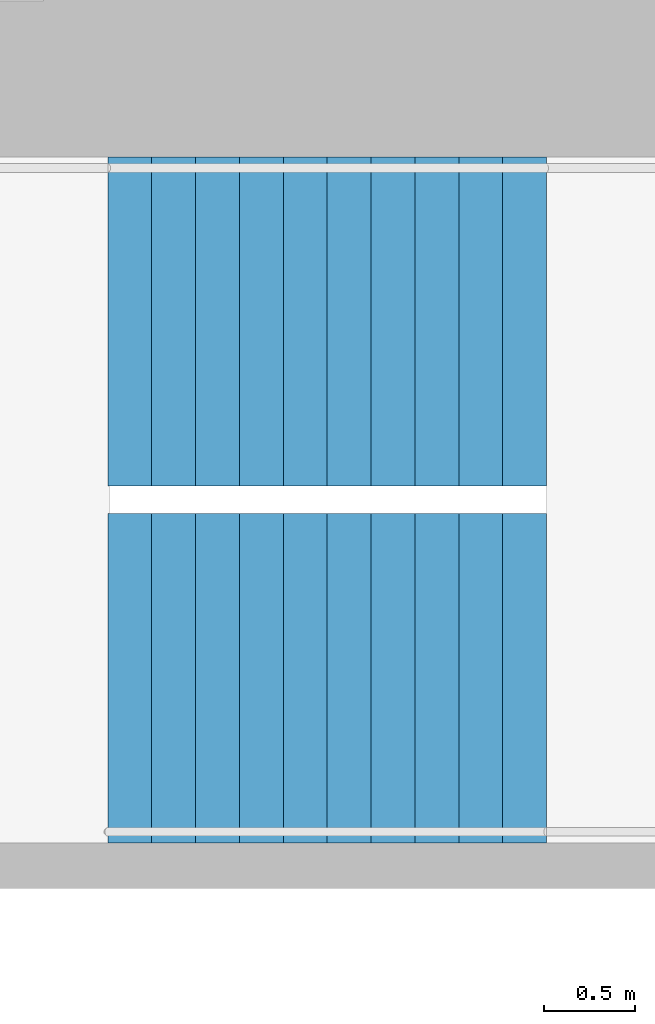
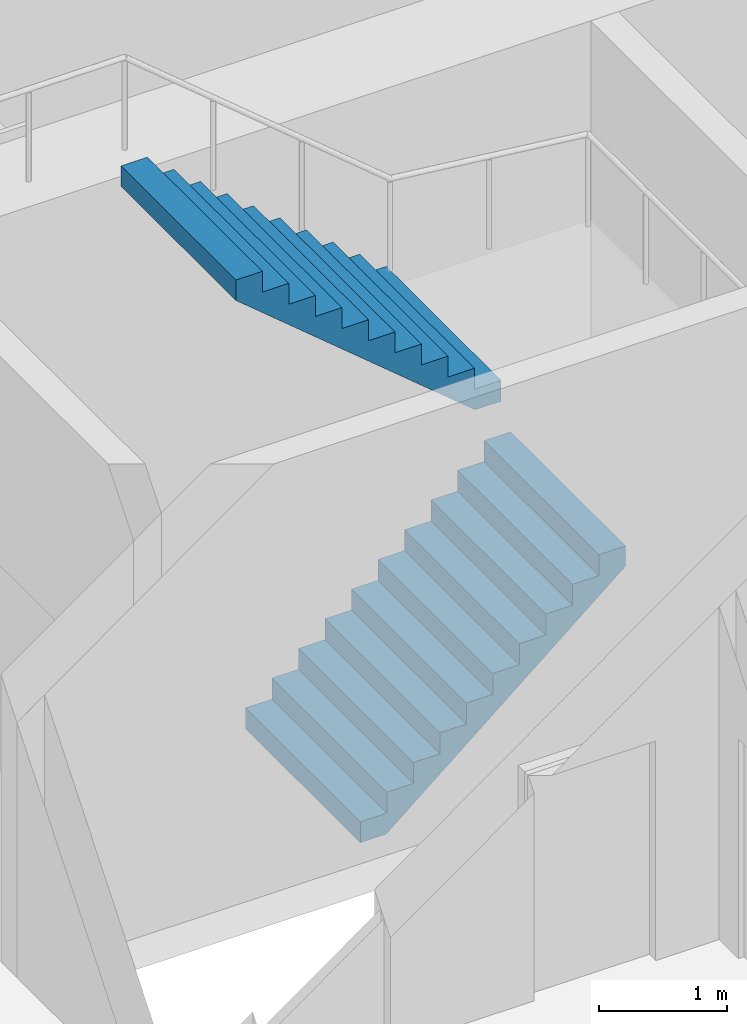
# One storey, part 27 of 31: 2 stair flights, 1 element without a shape of its own.
"""IFC4 building model written with IfcOpenShell, lengths in metres."""

from ifc_helpers import new_model, si_unit, direction, frame, origin, place, context, subcontext, project, spatial, triangles, material, type_object, element, aggregate, save


model = new_model("IFC4")

# Units and contexts
model_context = context("Model", 3, precision=1e-05, world=origin(), true_north=direction((0.0, 1.0)))
body_context = subcontext(model_context, "Body", "Model", "MODEL_VIEW")
ifc_project = project(units=[si_unit("LENGTHUNIT", "METRE"), si_unit("AREAUNIT", "SQUARE_METRE"), si_unit("VOLUMEUNIT", "CUBIC_METRE"), si_unit("PLANEANGLEUNIT", "RADIAN"), si_unit("MASSUNIT", "GRAM", prefix="KILO")], contexts=[model_context])

# Site, building, storey
site_placement = place(None, origin())
site = spatial("IfcSite", under=ifc_project, at=site_placement, CompositionType="ELEMENT")
building_placement = place(site_placement, origin())
building = spatial("IfcBuilding", under=site, at=building_placement, Name="Hakoniwa Tower and Hamabe Station Hall", CompositionType="ELEMENT")
storey_placement = place(building_placement, frame((0.0, 0.0, 120.199951171875)))
storey = spatial("IfcBuildingStorey", under=building, at=storey_placement, Name="L34", CompositionType="ELEMENT", Elevation=120.199951171875)

# Stair, stair flights
ifc_material_1 = material(Name="Concrete C40", Category="concrete")
stair_type = type_object("IfcStairType", Name="ESCAPE STAIR 1800", PredefinedType="HALF_TURN_STAIR", material=ifc_material_1)
stair_placement = place(storey_placement, origin())
stair = element("IfcStair", 1, at=stair_placement, inside=storey, type_object=stair_type, Name="Escape stair ST-1 L34", PredefinedType="HALF_TURN_STAIR")
ifc_material_2 = material(Name="Concrete C40", Category="concrete")
stair_flight_type = type_object("IfcStairFlightType", Name="STAIR FLIGHT 1800", PredefinedType="STRAIGHT", material=ifc_material_2)
stair_flight_1_placement = place(storey_placement, frame((-24.39990234375, 4.64990234375, 0.0), z_axis=(0.0, 0.0, 1.0), x_axis=(1.0, 0.0, 0.0)))
stair_flight_1 = element("IfcStairFlight", 2, at=stair_flight_1_placement, type_object=stair_flight_type, Name="ST-1 flight 1", NumberOfRisers=11, NumberOfTreads=10, PredefinedType="STRAIGHT", RiserHeight=0.2, TreadLength=0.24, context=body_context, shape_type="Tessellation", body=[
    triangles([(0.0, 0.89990234375, 0.0), (0.234130859375, 0.89990234375, 0.0), (0.239990234375, 0.89990234375, 0.0048828125), (0.47998046875, 0.89990234375, 0.204833984375), (0.719970703125, 0.89990234375, 0.40478515625), (0.9599609375, 0.89990234375, 0.60498046875), (1.199951171875, 0.89990234375, 0.804931640625), (1.43994140625, 0.89990234375, 1.0048828125), (1.679931640625, 0.89990234375, 1.204833984375), (1.919921875, 0.89990234375, 1.40478515625), (2.159912109375, 0.89990234375, 1.60498046875), (2.39990234375, 0.89990234375, 1.804931640625), (2.39990234375, 0.89990234375, 2.0), (2.159912109375, 0.89990234375, 2.0), (2.159912109375, 0.89990234375, 1.800048828125), (1.919921875, 0.89990234375, 1.800048828125), (1.919921875, 0.89990234375, 1.60009765625), (1.679931640625, 0.89990234375, 1.60009765625), (1.679931640625, 0.89990234375, 1.39990234375), (1.43994140625, 0.89990234375, 1.39990234375), (1.43994140625, 0.89990234375, 1.199951171875), (1.199951171875, 0.89990234375, 1.199951171875), (1.199951171875, 0.89990234375, 1.0), (0.9599609375, 0.89990234375, 1.0), (0.9599609375, 0.89990234375, 0.800048828125), (0.719970703125, 0.89990234375, 0.800048828125), (0.719970703125, 0.89990234375, 0.60009765625), (0.47998046875, 0.89990234375, 0.60009765625), (0.47998046875, 0.89990234375, 0.39990234375), (0.239990234375, 0.89990234375, 0.39990234375), (0.239990234375, 0.89990234375, 0.199951171875), (0.234130859375, 0.89990234375, 0.199951171875), (0.0, 0.89990234375, 0.199951171875), (0.0, 0.06005859375, 0.0), (0.234130859375, 0.06005859375, 0.0), (0.239990234375, 0.06005859375, 0.0048828125), (0.47998046875, 0.06005859375, 0.204833984375), (0.719970703125, 0.06005859375, 0.40478515625), (0.9599609375, 0.06005859375, 0.60498046875), (1.199951171875, 0.06005859375, 0.804931640625), (1.43994140625, 0.06005859375, 1.0048828125), (1.679931640625, 0.06005859375, 1.204833984375), (1.919921875, 0.06005859375, 1.40478515625), (2.159912109375, 0.06005859375, 1.60498046875), (2.39990234375, 0.06005859375, 1.804931640625), (2.39990234375, 0.06005859375, 2.0), (2.159912109375, 0.06005859375, 2.0), (2.159912109375, 0.06005859375, 1.800048828125), (1.919921875, 0.06005859375, 1.800048828125), (1.919921875, 0.06005859375, 1.60009765625), (1.679931640625, 0.06005859375, 1.60009765625), (1.679931640625, 0.06005859375, 1.39990234375), (1.43994140625, 0.06005859375, 1.39990234375), (1.43994140625, 0.06005859375, 1.199951171875), (1.199951171875, 0.06005859375, 1.199951171875), (1.199951171875, 0.06005859375, 1.0), (0.9599609375, 0.06005859375, 1.0), (0.9599609375, 0.06005859375, 0.800048828125), (0.719970703125, 0.06005859375, 0.800048828125), (0.719970703125, 0.06005859375, 0.60009765625), (0.47998046875, 0.06005859375, 0.60009765625), (0.47998046875, 0.06005859375, 0.39990234375), (0.239990234375, 0.06005859375, 0.39990234375), (0.239990234375, 0.06005859375, 0.199951171875), (0.234130859375, 0.06005859375, 0.199951171875), (0.0, 0.06005859375, 0.199951171875), (0.0, 0.02001953125, 0.0), (0.234130859375, 0.02001953125, 0.0), (0.239990234375, 0.02001953125, 0.0048828125), (0.47998046875, 0.02001953125, 0.204833984375), (0.719970703125, 0.02001953125, 0.40478515625), (0.9599609375, 0.02001953125, 0.60498046875), (1.199951171875, 0.02001953125, 0.804931640625), (1.43994140625, 0.02001953125, 1.0048828125), (1.679931640625, 0.02001953125, 1.204833984375), (1.919921875, 0.02001953125, 1.40478515625), (2.159912109375, 0.02001953125, 1.60498046875), (2.39990234375, 0.02001953125, 1.804931640625), (2.39990234375, 0.02001953125, 2.0), (2.159912109375, 0.02001953125, 2.0), (2.159912109375, 0.02001953125, 1.800048828125), (1.919921875, 0.02001953125, 1.800048828125), (1.919921875, 0.02001953125, 1.60009765625), (1.679931640625, 0.02001953125, 1.60009765625), (1.679931640625, 0.02001953125, 1.39990234375), (1.43994140625, 0.02001953125, 1.39990234375), (1.43994140625, 0.02001953125, 1.199951171875), (1.199951171875, 0.02001953125, 1.199951171875), (1.199951171875, 0.02001953125, 1.0), (0.9599609375, 0.02001953125, 1.0), (0.9599609375, 0.02001953125, 0.800048828125), (0.719970703125, 0.02001953125, 0.800048828125), (0.719970703125, 0.02001953125, 0.60009765625), (0.47998046875, 0.02001953125, 0.60009765625), (0.47998046875, 0.02001953125, 0.39990234375), (0.239990234375, 0.02001953125, 0.39990234375), (0.239990234375, 0.02001953125, 0.199951171875), (0.234130859375, 0.02001953125, 0.199951171875), (0.0, 0.02001953125, 0.199951171875), (0.0, -0.02001953125, 0.0), (0.234130859375, -0.02001953125, 0.0), (0.239990234375, -0.02001953125, 0.0048828125), (0.47998046875, -0.02001953125, 0.204833984375), (0.719970703125, -0.02001953125, 0.40478515625), (0.9599609375, -0.02001953125, 0.60498046875), (1.199951171875, -0.02001953125, 0.804931640625), (1.43994140625, -0.02001953125, 1.0048828125), (1.679931640625, -0.02001953125, 1.204833984375), (1.919921875, -0.02001953125, 1.40478515625), (2.159912109375, -0.02001953125, 1.60498046875), (2.39990234375, -0.02001953125, 1.804931640625), (2.39990234375, -0.02001953125, 2.0), (2.159912109375, -0.02001953125, 2.0), (2.159912109375, -0.02001953125, 1.800048828125), (1.919921875, -0.02001953125, 1.800048828125), (1.919921875, -0.02001953125, 1.60009765625), (1.679931640625, -0.02001953125, 1.60009765625), (1.679931640625, -0.02001953125, 1.39990234375), (1.43994140625, -0.02001953125, 1.39990234375), (1.43994140625, -0.02001953125, 1.199951171875), (1.199951171875, -0.02001953125, 1.199951171875), (1.199951171875, -0.02001953125, 1.0), (0.9599609375, -0.02001953125, 1.0), (0.9599609375, -0.02001953125, 0.800048828125), (0.719970703125, -0.02001953125, 0.800048828125), (0.719970703125, -0.02001953125, 0.60009765625), (0.47998046875, -0.02001953125, 0.60009765625), (0.47998046875, -0.02001953125, 0.39990234375), (0.239990234375, -0.02001953125, 0.39990234375), (0.239990234375, -0.02001953125, 0.199951171875), (0.234130859375, -0.02001953125, 0.199951171875), (0.0, -0.02001953125, 0.199951171875), (0.0, -0.06005859375, 0.0), (0.234130859375, -0.06005859375, 0.0), (0.239990234375, -0.06005859375, 0.0048828125), (0.47998046875, -0.06005859375, 0.204833984375), (0.719970703125, -0.06005859375, 0.40478515625), (0.9599609375, -0.06005859375, 0.60498046875), (1.199951171875, -0.06005859375, 0.804931640625), (1.43994140625, -0.06005859375, 1.0048828125), (1.679931640625, -0.06005859375, 1.204833984375), (1.919921875, -0.06005859375, 1.40478515625), (2.159912109375, -0.06005859375, 1.60498046875), (2.39990234375, -0.06005859375, 1.804931640625), (2.39990234375, -0.06005859375, 2.0), (2.159912109375, -0.06005859375, 2.0), (2.159912109375, -0.06005859375, 1.800048828125), (1.919921875, -0.06005859375, 1.800048828125), (1.919921875, -0.06005859375, 1.60009765625), (1.679931640625, -0.06005859375, 1.60009765625), (1.679931640625, -0.06005859375, 1.39990234375), (1.43994140625, -0.06005859375, 1.39990234375), (1.43994140625, -0.06005859375, 1.199951171875), (1.199951171875, -0.06005859375, 1.199951171875), (1.199951171875, -0.06005859375, 1.0), (0.9599609375, -0.06005859375, 1.0), (0.9599609375, -0.06005859375, 0.800048828125), (0.719970703125, -0.06005859375, 0.800048828125), (0.719970703125, -0.06005859375, 0.60009765625), (0.47998046875, -0.06005859375, 0.60009765625), (0.47998046875, -0.06005859375, 0.39990234375), (0.239990234375, -0.06005859375, 0.39990234375), (0.239990234375, -0.06005859375, 0.199951171875), (0.234130859375, -0.06005859375, 0.199951171875), (0.0, -0.06005859375, 0.199951171875), (0.0, -0.89990234375, 0.0), (0.234130859375, -0.89990234375, 0.0), (0.239990234375, -0.89990234375, 0.0048828125), (0.47998046875, -0.89990234375, 0.204833984375), (0.719970703125, -0.89990234375, 0.40478515625), (0.9599609375, -0.89990234375, 0.60498046875), (1.199951171875, -0.89990234375, 0.804931640625), (1.43994140625, -0.89990234375, 1.0048828125), (1.679931640625, -0.89990234375, 1.204833984375), (1.919921875, -0.89990234375, 1.40478515625), (2.159912109375, -0.89990234375, 1.60498046875), (2.39990234375, -0.89990234375, 1.804931640625), (2.39990234375, -0.89990234375, 2.0), (2.159912109375, -0.89990234375, 2.0), (2.159912109375, -0.89990234375, 1.800048828125), (1.919921875, -0.89990234375, 1.800048828125), (1.919921875, -0.89990234375, 1.60009765625), (1.679931640625, -0.89990234375, 1.60009765625), (1.679931640625, -0.89990234375, 1.39990234375), (1.43994140625, -0.89990234375, 1.39990234375), (1.43994140625, -0.89990234375, 1.199951171875), (1.199951171875, -0.89990234375, 1.199951171875), (1.199951171875, -0.89990234375, 1.0), (0.9599609375, -0.89990234375, 1.0), (0.9599609375, -0.89990234375, 0.800048828125), (0.719970703125, -0.89990234375, 0.800048828125), (0.719970703125, -0.89990234375, 0.60009765625), (0.47998046875, -0.89990234375, 0.60009765625), (0.47998046875, -0.89990234375, 0.39990234375), (0.239990234375, -0.89990234375, 0.39990234375), (0.239990234375, -0.89990234375, 0.199951171875), (0.234130859375, -0.89990234375, 0.199951171875), (0.0, -0.89990234375, 0.199951171875)], [[2, 33, 32], [167, 197, 198], [2, 1, 33], [167, 198, 166], [3, 32, 31], [168, 196, 197], [3, 2, 32], [168, 197, 167], [4, 30, 29], [169, 194, 195], [4, 31, 30], [169, 195, 196], [4, 3, 31], [169, 196, 168], [5, 28, 27], [170, 192, 193], [5, 29, 28], [170, 193, 194], [5, 4, 29], [170, 194, 169], [6, 26, 25], [171, 190, 191], [6, 27, 26], [171, 191, 192], [6, 5, 27], [171, 192, 170], [7, 24, 23], [172, 188, 189], [7, 25, 24], [172, 189, 190], [7, 6, 25], [172, 190, 171], [8, 22, 21], [173, 186, 187], [8, 23, 22], [173, 187, 188], [8, 7, 23], [173, 188, 172], [9, 20, 19], [174, 184, 185], [9, 21, 20], [174, 185, 186], [9, 8, 21], [174, 186, 173], [10, 18, 17], [175, 182, 183], [10, 19, 18], [175, 183, 184], [10, 9, 19], [175, 184, 174], [11, 16, 15], [176, 180, 181], [11, 17, 16], [176, 181, 182], [11, 10, 17], [176, 182, 175], [12, 14, 13], [177, 178, 179], [12, 15, 14], [177, 179, 180], [12, 11, 15], [177, 180, 176], [1, 2, 35], [1, 35, 34], [34, 35, 68], [34, 68, 67], [67, 68, 101], [67, 101, 100], [100, 101, 134], [100, 134, 133], [133, 134, 167], [133, 167, 166], [2, 3, 36], [2, 36, 35], [35, 36, 69], [35, 69, 68], [68, 69, 102], [68, 102, 101], [101, 102, 135], [101, 135, 134], [134, 135, 168], [134, 168, 167], [3, 4, 37], [3, 37, 36], [36, 37, 70], [36, 70, 69], [69, 70, 103], [69, 103, 102], [102, 103, 136], [102, 136, 135], [135, 136, 169], [135, 169, 168], [4, 5, 38], [4, 38, 37], [37, 38, 71], [37, 71, 70], [70, 71, 104], [70, 104, 103], [103, 104, 137], [103, 137, 136], [136, 137, 170], [136, 170, 169], [5, 6, 39], [5, 39, 38], [38, 39, 72], [38, 72, 71], [71, 72, 105], [71, 105, 104], [104, 105, 138], [104, 138, 137], [137, 138, 171], [137, 171, 170], [6, 7, 40], [6, 40, 39], [39, 40, 73], [39, 73, 72], [72, 73, 106], [72, 106, 105], [105, 106, 139], [105, 139, 138], [138, 139, 172], [138, 172, 171], [7, 8, 41], [7, 41, 40], [40, 41, 74], [40, 74, 73], [73, 74, 107], [73, 107, 106], [106, 107, 140], [106, 140, 139], [139, 140, 173], [139, 173, 172], [8, 9, 42], [8, 42, 41], [41, 42, 75], [41, 75, 74], [74, 75, 108], [74, 108, 107], [107, 108, 141], [107, 141, 140], [140, 141, 174], [140, 174, 173], [9, 10, 43], [9, 43, 42], [42, 43, 76], [42, 76, 75], [75, 76, 109], [75, 109, 108], [108, 109, 142], [108, 142, 141], [141, 142, 175], [141, 175, 174], [10, 11, 44], [10, 44, 43], [43, 44, 77], [43, 77, 76], [76, 77, 110], [76, 110, 109], [109, 110, 143], [109, 143, 142], [142, 143, 176], [142, 176, 175], [11, 12, 45], [11, 45, 44], [44, 45, 78], [44, 78, 77], [77, 78, 111], [77, 111, 110], [110, 111, 144], [110, 144, 143], [143, 144, 177], [143, 177, 176], [12, 13, 46], [12, 46, 45], [45, 46, 79], [45, 79, 78], [78, 79, 112], [78, 112, 111], [111, 112, 145], [111, 145, 144], [144, 145, 178], [144, 178, 177], [13, 14, 47], [13, 47, 46], [46, 47, 80], [46, 80, 79], [79, 80, 113], [79, 113, 112], [112, 113, 146], [112, 146, 145], [145, 146, 179], [145, 179, 178], [14, 15, 48], [14, 48, 47], [47, 48, 81], [47, 81, 80], [80, 81, 114], [80, 114, 113], [113, 114, 147], [113, 147, 146], [146, 147, 180], [146, 180, 179], [15, 16, 49], [15, 49, 48], [48, 49, 82], [48, 82, 81], [81, 82, 115], [81, 115, 114], [114, 115, 148], [114, 148, 147], [147, 148, 181], [147, 181, 180], [16, 17, 50], [16, 50, 49], [49, 50, 83], [49, 83, 82], [82, 83, 116], [82, 116, 115], [115, 116, 149], [115, 149, 148], [148, 149, 182], [148, 182, 181], [17, 18, 51], [17, 51, 50], [50, 51, 84], [50, 84, 83], [83, 84, 117], [83, 117, 116], [116, 117, 150], [116, 150, 149], [149, 150, 183], [149, 183, 182], [18, 19, 52], [18, 52, 51], [51, 52, 85], [51, 85, 84], [84, 85, 118], [84, 118, 117], [117, 118, 151], [117, 151, 150], [150, 151, 184], [150, 184, 183], [19, 20, 53], [19, 53, 52], [52, 53, 86], [52, 86, 85], [85, 86, 119], [85, 119, 118], [118, 119, 152], [118, 152, 151], [151, 152, 185], [151, 185, 184], [20, 21, 54], [20, 54, 53], [53, 54, 87], [53, 87, 86], [86, 87, 120], [86, 120, 119], [119, 120, 153], [119, 153, 152], [152, 153, 186], [152, 186, 185], [21, 22, 55], [21, 55, 54], [54, 55, 88], [54, 88, 87], [87, 88, 121], [87, 121, 120], [120, 121, 154], [120, 154, 153], [153, 154, 187], [153, 187, 186], [22, 23, 56], [22, 56, 55], [55, 56, 89], [55, 89, 88], [88, 89, 122], [88, 122, 121], [121, 122, 155], [121, 155, 154], [154, 155, 188], [154, 188, 187], [23, 24, 57], [23, 57, 56], [56, 57, 90], [56, 90, 89], [89, 90, 123], [89, 123, 122], [122, 123, 156], [122, 156, 155], [155, 156, 189], [155, 189, 188], [24, 25, 58], [24, 58, 57], [57, 58, 91], [57, 91, 90], [90, 91, 124], [90, 124, 123], [123, 124, 157], [123, 157, 156], [156, 157, 190], [156, 190, 189], [25, 26, 59], [25, 59, 58], [58, 59, 92], [58, 92, 91], [91, 92, 125], [91, 125, 124], [124, 125, 158], [124, 158, 157], [157, 158, 191], [157, 191, 190], [26, 27, 60], [26, 60, 59], [59, 60, 93], [59, 93, 92], [92, 93, 126], [92, 126, 125], [125, 126, 159], [125, 159, 158], [158, 159, 192], [158, 192, 191], [27, 28, 61], [27, 61, 60], [60, 61, 94], [60, 94, 93], [93, 94, 127], [93, 127, 126], [126, 127, 160], [126, 160, 159], [159, 160, 193], [159, 193, 192], [28, 29, 62], [28, 62, 61], [61, 62, 95], [61, 95, 94], [94, 95, 128], [94, 128, 127], [127, 128, 161], [127, 161, 160], [160, 161, 194], [160, 194, 193], [29, 30, 63], [29, 63, 62], [62, 63, 96], [62, 96, 95], [95, 96, 129], [95, 129, 128], [128, 129, 162], [128, 162, 161], [161, 162, 195], [161, 195, 194], [30, 31, 64], [30, 64, 63], [63, 64, 97], [63, 97, 96], [96, 97, 130], [96, 130, 129], [129, 130, 163], [129, 163, 162], [162, 163, 196], [162, 196, 195], [31, 32, 65], [31, 65, 64], [64, 65, 98], [64, 98, 97], [97, 98, 131], [97, 131, 130], [130, 131, 164], [130, 164, 163], [163, 164, 197], [163, 197, 196], [32, 33, 66], [32, 66, 65], [65, 66, 99], [65, 99, 98], [98, 99, 132], [98, 132, 131], [131, 132, 165], [131, 165, 164], [164, 165, 198], [164, 198, 197], [33, 1, 34], [33, 34, 66], [66, 34, 67], [66, 67, 99], [99, 67, 100], [99, 100, 132], [132, 100, 133], [132, 133, 165], [165, 133, 166], [165, 166, 198]], closed=True),
])
stair_flight_2_placement = place(storey_placement, frame((-22.0, 6.60009765625, 2.199951171875), z_axis=(0.0, 0.0, 1.0), x_axis=(-1.0, 0.0, 0.0)))
stair_flight_2 = element("IfcStairFlight", 3, at=stair_flight_2_placement, type_object=stair_flight_type, Name="ST-1 flight 2", NumberOfRisers=11, NumberOfTreads=10, PredefinedType="STRAIGHT", RiserHeight=0.2, TreadLength=0.24, context=body_context, shape_type="Tessellation", body=[
    triangles([(0.0, 0.89990234375, 0.0), (0.234130859375, 0.89990234375, 0.0), (0.239990234375, 0.89990234375, 0.0048828125), (0.47998046875, 0.89990234375, 0.204833984375), (0.719970703125, 0.89990234375, 0.40478515625), (0.9599609375, 0.89990234375, 0.60498046875), (1.199951171875, 0.89990234375, 0.804931640625), (1.43994140625, 0.89990234375, 1.0048828125), (1.679931640625, 0.89990234375, 1.204833984375), (1.919921875, 0.89990234375, 1.40478515625), (2.159912109375, 0.89990234375, 1.60498046875), (2.39990234375, 0.89990234375, 1.804931640625), (2.39990234375, 0.89990234375, 2.0), (2.159912109375, 0.89990234375, 2.0), (2.159912109375, 0.89990234375, 1.800048828125), (1.919921875, 0.89990234375, 1.800048828125), (1.919921875, 0.89990234375, 1.60009765625), (1.679931640625, 0.89990234375, 1.60009765625), (1.679931640625, 0.89990234375, 1.39990234375), (1.43994140625, 0.89990234375, 1.39990234375), (1.43994140625, 0.89990234375, 1.199951171875), (1.199951171875, 0.89990234375, 1.199951171875), (1.199951171875, 0.89990234375, 1.0), (0.9599609375, 0.89990234375, 1.0), (0.9599609375, 0.89990234375, 0.800048828125), (0.719970703125, 0.89990234375, 0.800048828125), (0.719970703125, 0.89990234375, 0.60009765625), (0.47998046875, 0.89990234375, 0.60009765625), (0.47998046875, 0.89990234375, 0.39990234375), (0.239990234375, 0.89990234375, 0.39990234375), (0.239990234375, 0.89990234375, 0.199951171875), (0.234130859375, 0.89990234375, 0.199951171875), (0.0, 0.89990234375, 0.199951171875), (0.0, 0.06005859375, 0.0), (0.234130859375, 0.06005859375, 0.0), (0.239990234375, 0.06005859375, 0.0048828125), (0.47998046875, 0.06005859375, 0.204833984375), (0.719970703125, 0.06005859375, 0.40478515625), (0.9599609375, 0.06005859375, 0.60498046875), (1.199951171875, 0.06005859375, 0.804931640625), (1.43994140625, 0.06005859375, 1.0048828125), (1.679931640625, 0.06005859375, 1.204833984375), (1.919921875, 0.06005859375, 1.40478515625), (2.159912109375, 0.06005859375, 1.60498046875), (2.39990234375, 0.06005859375, 1.804931640625), (2.39990234375, 0.06005859375, 2.0), (2.159912109375, 0.06005859375, 2.0), (2.159912109375, 0.06005859375, 1.800048828125), (1.919921875, 0.06005859375, 1.800048828125), (1.919921875, 0.06005859375, 1.60009765625), (1.679931640625, 0.06005859375, 1.60009765625), (1.679931640625, 0.06005859375, 1.39990234375), (1.43994140625, 0.06005859375, 1.39990234375), (1.43994140625, 0.06005859375, 1.199951171875), (1.199951171875, 0.06005859375, 1.199951171875), (1.199951171875, 0.06005859375, 1.0), (0.9599609375, 0.06005859375, 1.0), (0.9599609375, 0.06005859375, 0.800048828125), (0.719970703125, 0.06005859375, 0.800048828125), (0.719970703125, 0.06005859375, 0.60009765625), (0.47998046875, 0.06005859375, 0.60009765625), (0.47998046875, 0.06005859375, 0.39990234375), (0.239990234375, 0.06005859375, 0.39990234375), (0.239990234375, 0.06005859375, 0.199951171875), (0.234130859375, 0.06005859375, 0.199951171875), (0.0, 0.06005859375, 0.199951171875), (0.0, 0.02001953125, 0.0), (0.234130859375, 0.02001953125, 0.0), (0.239990234375, 0.02001953125, 0.0048828125), (0.47998046875, 0.02001953125, 0.204833984375), (0.719970703125, 0.02001953125, 0.40478515625), (0.9599609375, 0.02001953125, 0.60498046875), (1.199951171875, 0.02001953125, 0.804931640625), (1.43994140625, 0.02001953125, 1.0048828125), (1.679931640625, 0.02001953125, 1.204833984375), (1.919921875, 0.02001953125, 1.40478515625), (2.159912109375, 0.02001953125, 1.60498046875), (2.39990234375, 0.02001953125, 1.804931640625), (2.39990234375, 0.02001953125, 2.0), (2.159912109375, 0.02001953125, 2.0), (2.159912109375, 0.02001953125, 1.800048828125), (1.919921875, 0.02001953125, 1.800048828125), (1.919921875, 0.02001953125, 1.60009765625), (1.679931640625, 0.02001953125, 1.60009765625), (1.679931640625, 0.02001953125, 1.39990234375), (1.43994140625, 0.02001953125, 1.39990234375), (1.43994140625, 0.02001953125, 1.199951171875), (1.199951171875, 0.02001953125, 1.199951171875), (1.199951171875, 0.02001953125, 1.0), (0.9599609375, 0.02001953125, 1.0), (0.9599609375, 0.02001953125, 0.800048828125), (0.719970703125, 0.02001953125, 0.800048828125), (0.719970703125, 0.02001953125, 0.60009765625), (0.47998046875, 0.02001953125, 0.60009765625), (0.47998046875, 0.02001953125, 0.39990234375), (0.239990234375, 0.02001953125, 0.39990234375), (0.239990234375, 0.02001953125, 0.199951171875), (0.234130859375, 0.02001953125, 0.199951171875), (0.0, 0.02001953125, 0.199951171875), (0.0, -0.02001953125, 0.0), (0.234130859375, -0.02001953125, 0.0), (0.239990234375, -0.02001953125, 0.0048828125), (0.47998046875, -0.02001953125, 0.204833984375), (0.719970703125, -0.02001953125, 0.40478515625), (0.9599609375, -0.02001953125, 0.60498046875), (1.199951171875, -0.02001953125, 0.804931640625), (1.43994140625, -0.02001953125, 1.0048828125), (1.679931640625, -0.02001953125, 1.204833984375), (1.919921875, -0.02001953125, 1.40478515625), (2.159912109375, -0.02001953125, 1.60498046875), (2.39990234375, -0.02001953125, 1.804931640625), (2.39990234375, -0.02001953125, 2.0), (2.159912109375, -0.02001953125, 2.0), (2.159912109375, -0.02001953125, 1.800048828125), (1.919921875, -0.02001953125, 1.800048828125), (1.919921875, -0.02001953125, 1.60009765625), (1.679931640625, -0.02001953125, 1.60009765625), (1.679931640625, -0.02001953125, 1.39990234375), (1.43994140625, -0.02001953125, 1.39990234375), (1.43994140625, -0.02001953125, 1.199951171875), (1.199951171875, -0.02001953125, 1.199951171875), (1.199951171875, -0.02001953125, 1.0), (0.9599609375, -0.02001953125, 1.0), (0.9599609375, -0.02001953125, 0.800048828125), (0.719970703125, -0.02001953125, 0.800048828125), (0.719970703125, -0.02001953125, 0.60009765625), (0.47998046875, -0.02001953125, 0.60009765625), (0.47998046875, -0.02001953125, 0.39990234375), (0.239990234375, -0.02001953125, 0.39990234375), (0.239990234375, -0.02001953125, 0.199951171875), (0.234130859375, -0.02001953125, 0.199951171875), (0.0, -0.02001953125, 0.199951171875), (0.0, -0.06005859375, 0.0), (0.234130859375, -0.06005859375, 0.0), (0.239990234375, -0.06005859375, 0.0048828125), (0.47998046875, -0.06005859375, 0.204833984375), (0.719970703125, -0.06005859375, 0.40478515625), (0.9599609375, -0.06005859375, 0.60498046875), (1.199951171875, -0.06005859375, 0.804931640625), (1.43994140625, -0.06005859375, 1.0048828125), (1.679931640625, -0.06005859375, 1.204833984375), (1.919921875, -0.06005859375, 1.40478515625), (2.159912109375, -0.06005859375, 1.60498046875), (2.39990234375, -0.06005859375, 1.804931640625), (2.39990234375, -0.06005859375, 2.0), (2.159912109375, -0.06005859375, 2.0), (2.159912109375, -0.06005859375, 1.800048828125), (1.919921875, -0.06005859375, 1.800048828125), (1.919921875, -0.06005859375, 1.60009765625), (1.679931640625, -0.06005859375, 1.60009765625), (1.679931640625, -0.06005859375, 1.39990234375), (1.43994140625, -0.06005859375, 1.39990234375), (1.43994140625, -0.06005859375, 1.199951171875), (1.199951171875, -0.06005859375, 1.199951171875), (1.199951171875, -0.06005859375, 1.0), (0.9599609375, -0.06005859375, 1.0), (0.9599609375, -0.06005859375, 0.800048828125), (0.719970703125, -0.06005859375, 0.800048828125), (0.719970703125, -0.06005859375, 0.60009765625), (0.47998046875, -0.06005859375, 0.60009765625), (0.47998046875, -0.06005859375, 0.39990234375), (0.239990234375, -0.06005859375, 0.39990234375), (0.239990234375, -0.06005859375, 0.199951171875), (0.234130859375, -0.06005859375, 0.199951171875), (0.0, -0.06005859375, 0.199951171875), (0.0, -0.89990234375, 0.0), (0.234130859375, -0.89990234375, 0.0), (0.239990234375, -0.89990234375, 0.0048828125), (0.47998046875, -0.89990234375, 0.204833984375), (0.719970703125, -0.89990234375, 0.40478515625), (0.9599609375, -0.89990234375, 0.60498046875), (1.199951171875, -0.89990234375, 0.804931640625), (1.43994140625, -0.89990234375, 1.0048828125), (1.679931640625, -0.89990234375, 1.204833984375), (1.919921875, -0.89990234375, 1.40478515625), (2.159912109375, -0.89990234375, 1.60498046875), (2.39990234375, -0.89990234375, 1.804931640625), (2.39990234375, -0.89990234375, 2.0), (2.159912109375, -0.89990234375, 2.0), (2.159912109375, -0.89990234375, 1.800048828125), (1.919921875, -0.89990234375, 1.800048828125), (1.919921875, -0.89990234375, 1.60009765625), (1.679931640625, -0.89990234375, 1.60009765625), (1.679931640625, -0.89990234375, 1.39990234375), (1.43994140625, -0.89990234375, 1.39990234375), (1.43994140625, -0.89990234375, 1.199951171875), (1.199951171875, -0.89990234375, 1.199951171875), (1.199951171875, -0.89990234375, 1.0), (0.9599609375, -0.89990234375, 1.0), (0.9599609375, -0.89990234375, 0.800048828125), (0.719970703125, -0.89990234375, 0.800048828125), (0.719970703125, -0.89990234375, 0.60009765625), (0.47998046875, -0.89990234375, 0.60009765625), (0.47998046875, -0.89990234375, 0.39990234375), (0.239990234375, -0.89990234375, 0.39990234375), (0.239990234375, -0.89990234375, 0.199951171875), (0.234130859375, -0.89990234375, 0.199951171875), (0.0, -0.89990234375, 0.199951171875)], [[2, 33, 32], [167, 197, 198], [2, 1, 33], [167, 198, 166], [3, 32, 31], [168, 196, 197], [3, 2, 32], [168, 197, 167], [4, 30, 29], [169, 194, 195], [4, 31, 30], [169, 195, 196], [4, 3, 31], [169, 196, 168], [5, 28, 27], [170, 192, 193], [5, 29, 28], [170, 193, 194], [5, 4, 29], [170, 194, 169], [6, 26, 25], [171, 190, 191], [6, 27, 26], [171, 191, 192], [6, 5, 27], [171, 192, 170], [7, 24, 23], [172, 188, 189], [7, 25, 24], [172, 189, 190], [7, 6, 25], [172, 190, 171], [8, 22, 21], [173, 186, 187], [8, 23, 22], [173, 187, 188], [8, 7, 23], [173, 188, 172], [9, 20, 19], [174, 184, 185], [9, 21, 20], [174, 185, 186], [9, 8, 21], [174, 186, 173], [10, 18, 17], [175, 182, 183], [10, 19, 18], [175, 183, 184], [10, 9, 19], [175, 184, 174], [11, 16, 15], [176, 180, 181], [11, 17, 16], [176, 181, 182], [11, 10, 17], [176, 182, 175], [12, 14, 13], [177, 178, 179], [12, 15, 14], [177, 179, 180], [12, 11, 15], [177, 180, 176], [1, 2, 35], [1, 35, 34], [34, 35, 68], [34, 68, 67], [67, 68, 101], [67, 101, 100], [100, 101, 134], [100, 134, 133], [133, 134, 167], [133, 167, 166], [2, 3, 36], [2, 36, 35], [35, 36, 69], [35, 69, 68], [68, 69, 102], [68, 102, 101], [101, 102, 135], [101, 135, 134], [134, 135, 168], [134, 168, 167], [3, 4, 37], [3, 37, 36], [36, 37, 70], [36, 70, 69], [69, 70, 103], [69, 103, 102], [102, 103, 136], [102, 136, 135], [135, 136, 169], [135, 169, 168], [4, 5, 38], [4, 38, 37], [37, 38, 71], [37, 71, 70], [70, 71, 104], [70, 104, 103], [103, 104, 137], [103, 137, 136], [136, 137, 170], [136, 170, 169], [5, 6, 39], [5, 39, 38], [38, 39, 72], [38, 72, 71], [71, 72, 105], [71, 105, 104], [104, 105, 138], [104, 138, 137], [137, 138, 171], [137, 171, 170], [6, 7, 40], [6, 40, 39], [39, 40, 73], [39, 73, 72], [72, 73, 106], [72, 106, 105], [105, 106, 139], [105, 139, 138], [138, 139, 172], [138, 172, 171], [7, 8, 41], [7, 41, 40], [40, 41, 74], [40, 74, 73], [73, 74, 107], [73, 107, 106], [106, 107, 140], [106, 140, 139], [139, 140, 173], [139, 173, 172], [8, 9, 42], [8, 42, 41], [41, 42, 75], [41, 75, 74], [74, 75, 108], [74, 108, 107], [107, 108, 141], [107, 141, 140], [140, 141, 174], [140, 174, 173], [9, 10, 43], [9, 43, 42], [42, 43, 76], [42, 76, 75], [75, 76, 109], [75, 109, 108], [108, 109, 142], [108, 142, 141], [141, 142, 175], [141, 175, 174], [10, 11, 44], [10, 44, 43], [43, 44, 77], [43, 77, 76], [76, 77, 110], [76, 110, 109], [109, 110, 143], [109, 143, 142], [142, 143, 176], [142, 176, 175], [11, 12, 45], [11, 45, 44], [44, 45, 78], [44, 78, 77], [77, 78, 111], [77, 111, 110], [110, 111, 144], [110, 144, 143], [143, 144, 177], [143, 177, 176], [12, 13, 46], [12, 46, 45], [45, 46, 79], [45, 79, 78], [78, 79, 112], [78, 112, 111], [111, 112, 145], [111, 145, 144], [144, 145, 178], [144, 178, 177], [13, 14, 47], [13, 47, 46], [46, 47, 80], [46, 80, 79], [79, 80, 113], [79, 113, 112], [112, 113, 146], [112, 146, 145], [145, 146, 179], [145, 179, 178], [14, 15, 48], [14, 48, 47], [47, 48, 81], [47, 81, 80], [80, 81, 114], [80, 114, 113], [113, 114, 147], [113, 147, 146], [146, 147, 180], [146, 180, 179], [15, 16, 49], [15, 49, 48], [48, 49, 82], [48, 82, 81], [81, 82, 115], [81, 115, 114], [114, 115, 148], [114, 148, 147], [147, 148, 181], [147, 181, 180], [16, 17, 50], [16, 50, 49], [49, 50, 83], [49, 83, 82], [82, 83, 116], [82, 116, 115], [115, 116, 149], [115, 149, 148], [148, 149, 182], [148, 182, 181], [17, 18, 51], [17, 51, 50], [50, 51, 84], [50, 84, 83], [83, 84, 117], [83, 117, 116], [116, 117, 150], [116, 150, 149], [149, 150, 183], [149, 183, 182], [18, 19, 52], [18, 52, 51], [51, 52, 85], [51, 85, 84], [84, 85, 118], [84, 118, 117], [117, 118, 151], [117, 151, 150], [150, 151, 184], [150, 184, 183], [19, 20, 53], [19, 53, 52], [52, 53, 86], [52, 86, 85], [85, 86, 119], [85, 119, 118], [118, 119, 152], [118, 152, 151], [151, 152, 185], [151, 185, 184], [20, 21, 54], [20, 54, 53], [53, 54, 87], [53, 87, 86], [86, 87, 120], [86, 120, 119], [119, 120, 153], [119, 153, 152], [152, 153, 186], [152, 186, 185], [21, 22, 55], [21, 55, 54], [54, 55, 88], [54, 88, 87], [87, 88, 121], [87, 121, 120], [120, 121, 154], [120, 154, 153], [153, 154, 187], [153, 187, 186], [22, 23, 56], [22, 56, 55], [55, 56, 89], [55, 89, 88], [88, 89, 122], [88, 122, 121], [121, 122, 155], [121, 155, 154], [154, 155, 188], [154, 188, 187], [23, 24, 57], [23, 57, 56], [56, 57, 90], [56, 90, 89], [89, 90, 123], [89, 123, 122], [122, 123, 156], [122, 156, 155], [155, 156, 189], [155, 189, 188], [24, 25, 58], [24, 58, 57], [57, 58, 91], [57, 91, 90], [90, 91, 124], [90, 124, 123], [123, 124, 157], [123, 157, 156], [156, 157, 190], [156, 190, 189], [25, 26, 59], [25, 59, 58], [58, 59, 92], [58, 92, 91], [91, 92, 125], [91, 125, 124], [124, 125, 158], [124, 158, 157], [157, 158, 191], [157, 191, 190], [26, 27, 60], [26, 60, 59], [59, 60, 93], [59, 93, 92], [92, 93, 126], [92, 126, 125], [125, 126, 159], [125, 159, 158], [158, 159, 192], [158, 192, 191], [27, 28, 61], [27, 61, 60], [60, 61, 94], [60, 94, 93], [93, 94, 127], [93, 127, 126], [126, 127, 160], [126, 160, 159], [159, 160, 193], [159, 193, 192], [28, 29, 62], [28, 62, 61], [61, 62, 95], [61, 95, 94], [94, 95, 128], [94, 128, 127], [127, 128, 161], [127, 161, 160], [160, 161, 194], [160, 194, 193], [29, 30, 63], [29, 63, 62], [62, 63, 96], [62, 96, 95], [95, 96, 129], [95, 129, 128], [128, 129, 162], [128, 162, 161], [161, 162, 195], [161, 195, 194], [30, 31, 64], [30, 64, 63], [63, 64, 97], [63, 97, 96], [96, 97, 130], [96, 130, 129], [129, 130, 163], [129, 163, 162], [162, 163, 196], [162, 196, 195], [31, 32, 65], [31, 65, 64], [64, 65, 98], [64, 98, 97], [97, 98, 131], [97, 131, 130], [130, 131, 164], [130, 164, 163], [163, 164, 197], [163, 197, 196], [32, 33, 66], [32, 66, 65], [65, 66, 99], [65, 99, 98], [98, 99, 132], [98, 132, 131], [131, 132, 165], [131, 165, 164], [164, 165, 198], [164, 198, 197], [33, 1, 34], [33, 34, 66], [66, 34, 67], [66, 67, 99], [99, 67, 100], [99, 100, 132], [132, 100, 133], [132, 133, 165], [165, 133, 166], [165, 166, 198]], closed=True),
])
aggregate(stair, [stair_flight_1, stair_flight_2])

save(model, "model.ifc")
